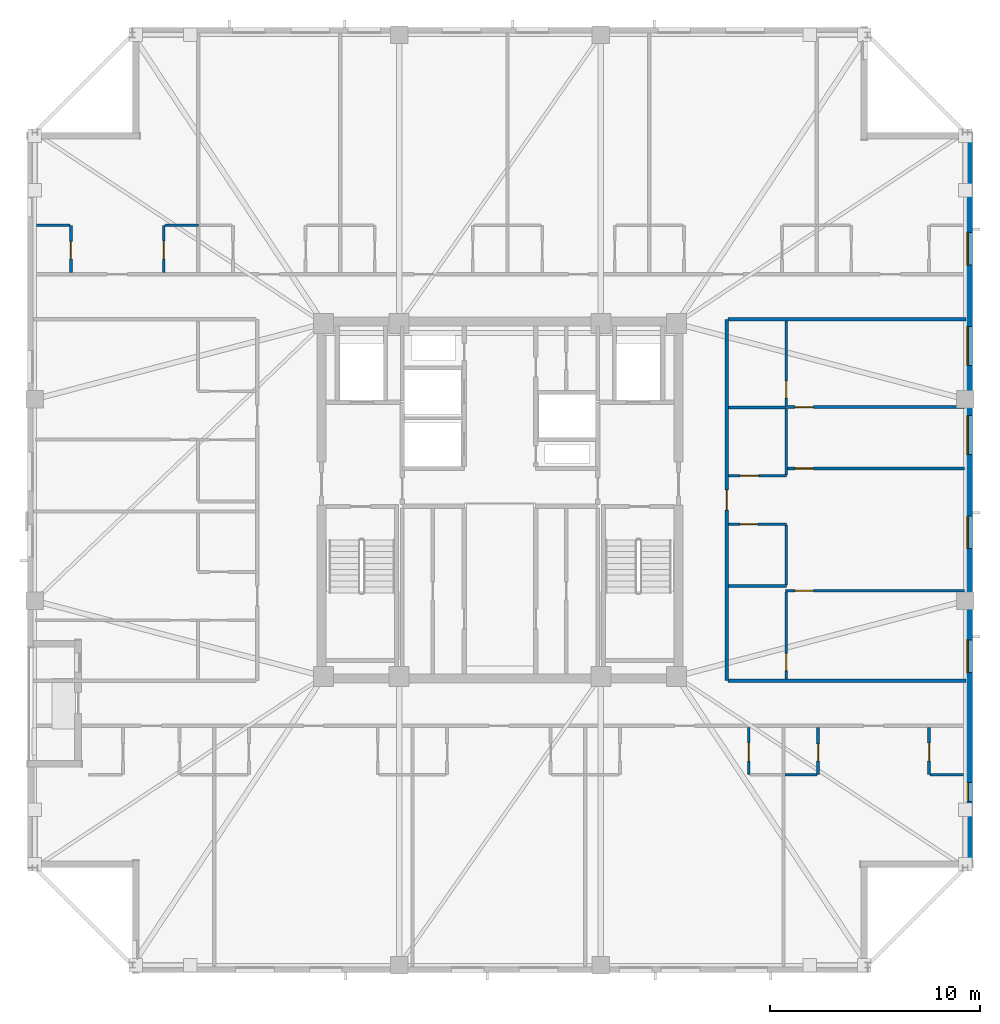
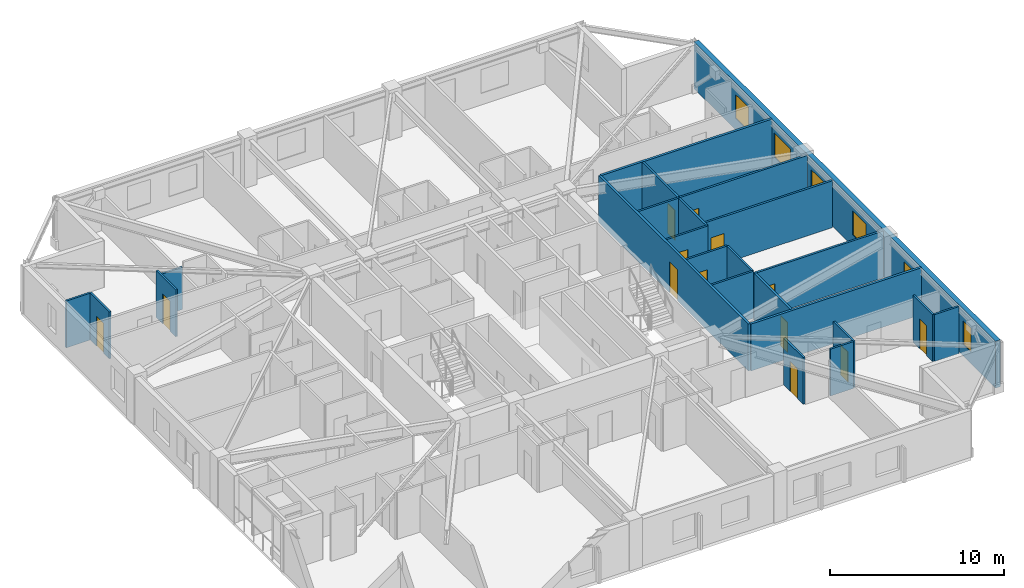
# One storey, part 10 of 17: 24 walls, 13 doors, 6 windows, 19 openings.
"""IFC4 building model written with IfcOpenShell, lengths in metres."""

from ifc_helpers import new_model, si_unit, direction, frame, frame_2d, origin, place, context, subcontext, project, spatial, rectangle, extrude, material, layer, layer_set, type_object, element, fill, save


model = new_model("IFC4")

# Units and contexts
model_context = context("Model", 3, precision=1e-05, world=origin(), true_north=direction((0.0, 1.0)))
body_context = subcontext(model_context, "Body", "Model", "MODEL_VIEW")
ifc_project = project(units=[si_unit("LENGTHUNIT", "METRE"), si_unit("AREAUNIT", "SQUARE_METRE"), si_unit("VOLUMEUNIT", "CUBIC_METRE"), si_unit("PLANEANGLEUNIT", "RADIAN"), si_unit("MASSUNIT", "GRAM", prefix="KILO")], contexts=[model_context])

# Site, building, storey
site_placement = place(None, origin())
site = spatial("IfcSite", under=ifc_project, at=site_placement, CompositionType="ELEMENT")
building_placement = place(site_placement, origin())
building = spatial("IfcBuilding", under=site, at=building_placement, Name="Cairnveth Concourse Tower", CompositionType="ELEMENT")
storey_placement = place(building_placement, frame((0.0, 0.0, 248.0)))
storey = spatial("IfcBuildingStorey", under=building, at=storey_placement, Name="L68", CompositionType="ELEMENT", Elevation=248.0)

# Wall, opening, door
ifc_material_1 = material(Name="Gypsum Plasterboard Partition", Category="gypsum")
ifc_layer_1 = layer(ifc_material_1, 0.159912109375)
ifc_layer_set_1 = layer_set([ifc_layer_1], Name="Gypsum Plasterboard Partition")
wall_type_1 = type_object("IfcWallType", Name="ACOUSTIC PARTY WALL 180", PredefinedType="PARTITIONING", material=ifc_layer_set_1)
wall_1_placement = place(storey_placement, frame((62.800048828125, 30.39990234375, 0.0), z_axis=(0.0, 0.0, 1.0), x_axis=(0.0, 1.0, 0.0)))
wall_1 = element("IfcWall", 1, at=wall_1_placement, inside=storey, type_object=wall_type_1, Name="Interior Wall IW-L68-039", PredefinedType="PARTITIONING", context=body_context, shape_type="SweptSolid", body=[
    extrude(rectangle(XDim=17.2001953125, YDim=0.159912109375, at=frame_2d((8.60009765625, 0.0))), origin(), (0.0, 0.0, 1.0), 3.2900390625),
])
opening_1_placement = place(wall_1_placement, frame((8.1201171875, 0.0, 0.0)))
opening_1 = element("IfcOpeningElement", 2, at=opening_1_placement, cuts=wall_1, Name="Opening ID10", PredefinedType="OPENING", context=body_context, shape_type="SweptSolid", body=[
    extrude(rectangle(XDim=0.9599609375, YDim=2.179931640625, at=frame_2d((0.47998046875, 1.08984375))), frame((0.0, 0.08984375, 0.0), z_axis=(0.0, -1.0, 0.0), x_axis=(1.0, 0.0, 0.0)), (0.0, 0.0, 1.0), 0.179931640625),
])
ifc_material_2 = material(Name="Solid Core Hardwood Timber Leaf", Category="wood")
door_type_1 = type_object("IfcDoorType", Name="FLAT ENTRANCE DOOR 960X2150", OperationType="NOTDEFINED", PredefinedType="DOOR", material=ifc_material_2)
door_1_placement = place(opening_1_placement, origin())
door_1 = element("IfcDoor", 3, at=door_1_placement, inside=storey, type_object=door_type_1, Name="Apartment L68E1 Entrance Door", OperationType="SINGLE_SWING_LEFT", OverallHeight=2.179931640625, OverallWidth=0.9599609375, PredefinedType="DOOR", context=body_context, shape_type="SweptSolid", body=[
    extrude(rectangle(XDim=0.9599609375, YDim=2.179931640625, at=frame_2d((0.47998046875, 1.08984375))), frame((0.0, 0.02490234375, 0.0), z_axis=(0.0, -1.0, 0.0), x_axis=(1.0, 0.0, 0.0)), (0.0, 0.0, 1.0), 0.050048828125),
])
fill(opening_1, door_1)

# Walls
for number, where, z_axis, x_axis, name in (
    (4, (62.864990234375, 30.39990234375, 0.0), (0.0, 0.0, 1.0), (1.0, 0.0, 0.0), "Interior Wall IW-L68-042"),
    (5, (62.864990234375, 47.60009765625, 0.0), (0.0, 0.0, 1.0), (1.0, 0.0, 0.0), "Interior Wall IW-L68-043"),
):
    element("IfcWall", number, at=place(storey_placement, frame(where, z_axis=z_axis, x_axis=x_axis)), inside=storey, type_object=wall_type_1, Name=name, PredefinedType="PARTITIONING", context=body_context, shape_type="SweptSolid", body=[
        extrude(rectangle(XDim=11.330078125, YDim=0.159912109375, at=frame_2d((5.6650390625, 0.0))), origin(), (0.0, 0.0, 1.0), 3.2900390625),
    ])

# Wall, opening, door
ifc_layer_2 = layer(ifc_material_1, 0.139892578125)
ifc_layer_set_2 = layer_set([ifc_layer_2], Name="Gypsum Plasterboard Partition")
wall_type_2 = type_object("IfcWallType", Name="GYPSUM STUD PARTITION 140", PredefinedType="PARTITIONING", material=ifc_layer_set_2)
wall_2_placement = place(storey_placement, frame((65.590087890625, 34.679931640625, 0.0), z_axis=(0.0, 0.0, 1.0), x_axis=(1.0, 0.0, 0.0)))
wall_2 = element("IfcWall", 6, at=wall_2_placement, inside=storey, type_object=wall_type_2, Name="Interior Wall IW-L68-115", PredefinedType="PARTITIONING", context=body_context, shape_type="SweptSolid", body=[
    extrude(rectangle(XDim=8.530029296875, YDim=0.139892578125, at=frame_2d((4.26513671875, 0.0))), origin(), (0.0, 0.0, 1.0), 3.2900390625),
])
opening_2_placement = place(wall_2_placement, frame((0.449951171875, 0.0, 0.0)))
opening_2 = element("IfcOpeningElement", 7, at=opening_2_placement, cuts=wall_2, Name="Opening ID18", PredefinedType="OPENING", context=body_context, shape_type="SweptSolid", body=[
    extrude(rectangle(XDim=0.8798828125, YDim=2.10009765625, at=frame_2d((0.43994140625, 1.050048828125))), frame((0.0, 0.079833984375, 0.0), z_axis=(0.0, -1.0, 0.0), x_axis=(1.0, 0.0, 0.0)), (0.0, 0.0, 1.0), 0.159912109375),
])
door_type_2 = type_object("IfcDoorType", Name="INTERIOR SINGLE DOOR 880X2100", OperationType="NOTDEFINED", PredefinedType="DOOR", material=ifc_material_2)
door_2_placement = place(opening_2_placement, origin())
door_2 = element("IfcDoor", 8, at=door_2_placement, inside=storey, type_object=door_type_2, Name="L68E1 Master Bedroom Door", OperationType="SINGLE_SWING_LEFT", OverallHeight=2.10009765625, OverallWidth=0.8798828125, PredefinedType="DOOR", context=body_context, shape_type="SweptSolid", body=[
    extrude(rectangle(XDim=0.8798828125, YDim=2.10009765625, at=frame_2d((0.43994140625, 1.050048828125))), frame((0.0, 0.02490234375, 0.0), z_axis=(0.0, -1.0, 0.0), x_axis=(1.0, 0.0, 0.0)), (0.0, 0.0, 1.0), 0.050048828125),
])
fill(opening_2, door_2)

wall_3_placement = place(storey_placement, frame((65.6298828125, 30.465087890625, 0.0), z_axis=(0.0, 0.0, 1.0), x_axis=(0.0, 1.0, 0.0)))
wall_3 = element("IfcWall", 9, at=wall_3_placement, inside=storey, type_object=wall_type_2, Name="Interior Wall IW-L68-116", PredefinedType="PARTITIONING", context=body_context, shape_type="SweptSolid", body=[
    extrude(rectangle(XDim=4.159912109375, YDim=0.139892578125, at=frame_2d((2.080078125, 0.0))), origin(), (0.0, 0.0, 1.0), 3.2900390625),
])
opening_3_placement = place(wall_3_placement, frame((0.4150390625, 0.0, 0.0)))
opening_3 = element("IfcOpeningElement", 10, at=opening_3_placement, cuts=wall_3, Name="Opening ID22", PredefinedType="OPENING", context=body_context, shape_type="SweptSolid", body=[
    extrude(rectangle(XDim=0.820068359375, YDim=2.10009765625, at=frame_2d((0.41015625, 1.050048828125))), frame((0.0, 0.079833984375, 0.0), z_axis=(0.0, -1.0, 0.0), x_axis=(1.0, 0.0, 0.0)), (0.0, 0.0, 1.0), 0.159912109375),
])
door_type_3 = type_object("IfcDoorType", Name="INTERIOR WC DOOR 820X2100", OperationType="NOTDEFINED", PredefinedType="DOOR", material=ifc_material_2)
door_3_placement = place(opening_3_placement, origin())
door_3 = element("IfcDoor", 11, at=door_3_placement, inside=storey, type_object=door_type_3, Name="L68E1 Dressing Door", OperationType="SINGLE_SWING_RIGHT", OverallHeight=2.10009765625, OverallWidth=0.820068359375, PredefinedType="DOOR", context=body_context, shape_type="SweptSolid", body=[
    extrude(rectangle(XDim=0.820068359375, YDim=2.10009765625, at=frame_2d((0.41015625, 1.050048828125))), frame((0.0, 0.02490234375, 0.0), z_axis=(0.0, -1.0, 0.0), x_axis=(1.0, 0.0, 0.0)), (0.0, 0.0, 1.0), 0.050048828125),
])
fill(opening_3, door_3)

wall_4_placement = place(storey_placement, frame((65.679931640625, 43.419921875, 0.0), z_axis=(0.0, 0.0, 1.0), x_axis=(1.0, 0.0, 0.0)))
wall_4 = element("IfcWall", 12, at=wall_4_placement, inside=storey, type_object=wall_type_2, Name="Interior Wall IW-L68-117", PredefinedType="PARTITIONING", context=body_context, shape_type="SweptSolid", body=[
    extrude(rectangle(XDim=8.440185546875, YDim=0.139892578125, at=frame_2d((4.22021484375, 0.0))), origin(), (0.0, 0.0, 1.0), 3.2900390625),
])
opening_4_placement = place(wall_4_placement, frame((0.360107421875, 0.0, 0.0)))
opening_4 = element("IfcOpeningElement", 13, at=opening_4_placement, cuts=wall_4, Name="Opening ID18", PredefinedType="OPENING", context=body_context, shape_type="SweptSolid", body=[
    extrude(rectangle(XDim=0.8798828125, YDim=2.10009765625, at=frame_2d((0.43994140625, 1.050048828125))), frame((0.0, 0.079833984375, 0.0), z_axis=(0.0, -1.0, 0.0), x_axis=(1.0, 0.0, 0.0)), (0.0, 0.0, 1.0), 0.159912109375),
])
door_4_placement = place(opening_4_placement, origin())
door_4 = element("IfcDoor", 14, at=door_4_placement, inside=storey, type_object=door_type_2, Name="L68E1 Bedroom 2 Door", OperationType="SINGLE_SWING_LEFT", OverallHeight=2.10009765625, OverallWidth=0.8798828125, PredefinedType="DOOR", context=body_context, shape_type="SweptSolid", body=[
    extrude(rectangle(XDim=0.8798828125, YDim=2.10009765625, at=frame_2d((0.43994140625, 1.050048828125))), frame((0.0, 0.02490234375, 0.0), z_axis=(0.0, -1.0, 0.0), x_axis=(1.0, 0.0, 0.0)), (0.0, 0.0, 1.0), 0.050048828125),
])
fill(opening_4, door_4)

wall_5_placement = place(storey_placement, frame((65.6298828125, 43.47509765625, 0.0), z_axis=(0.0, 0.0, 1.0), x_axis=(0.0, 1.0, 0.0)))
wall_5 = element("IfcWall", 15, at=wall_5_placement, inside=storey, type_object=wall_type_2, Name="Interior Wall IW-L68-118", PredefinedType="PARTITIONING", context=body_context, shape_type="SweptSolid", body=[
    extrude(rectangle(XDim=4.059814453125, YDim=0.139892578125, at=frame_2d((2.02978515625, 0.0))), origin(), (0.0, 0.0, 1.0), 3.2900390625),
])
opening_5_placement = place(wall_5_placement, frame((0.375, 0.0, 0.0)))
opening_5 = element("IfcOpeningElement", 16, at=opening_5_placement, cuts=wall_5, Name="Opening ID22", PredefinedType="OPENING", context=body_context, shape_type="SweptSolid", body=[
    extrude(rectangle(XDim=0.820068359375, YDim=2.10009765625, at=frame_2d((0.41015625, 1.050048828125))), frame((0.0, 0.079833984375, 0.0), z_axis=(0.0, -1.0, 0.0), x_axis=(1.0, 0.0, 0.0)), (0.0, 0.0, 1.0), 0.159912109375),
])
door_5_placement = place(opening_5_placement, origin())
door_5 = element("IfcDoor", 17, at=door_5_placement, inside=storey, type_object=door_type_3, Name="L68E1 Utility Door", OperationType="SINGLE_SWING_RIGHT", OverallHeight=2.10009765625, OverallWidth=0.820068359375, PredefinedType="DOOR", context=body_context, shape_type="SweptSolid", body=[
    extrude(rectangle(XDim=0.820068359375, YDim=2.10009765625, at=frame_2d((0.41015625, 1.050048828125))), frame((0.0, 0.02490234375, 0.0), z_axis=(0.0, -1.0, 0.0), x_axis=(1.0, 0.0, 0.0)), (0.0, 0.0, 1.0), 0.050048828125),
])
fill(opening_5, door_5)

wall_6_placement = place(storey_placement, frame((65.679931640625, 40.5, 0.0), z_axis=(0.0, 0.0, 1.0), x_axis=(1.0, 0.0, 0.0)))
wall_6 = element("IfcWall", 18, at=wall_6_placement, inside=storey, type_object=wall_type_2, Name="Interior Wall IW-L68-119", PredefinedType="PARTITIONING", context=body_context, shape_type="SweptSolid", body=[
    extrude(rectangle(XDim=8.440185546875, YDim=0.139892578125, at=frame_2d((4.22021484375, 0.0))), origin(), (0.0, 0.0, 1.0), 3.2900390625),
])
opening_6_placement = place(wall_6_placement, frame((0.360107421875, 0.0, 0.0)))
opening_6 = element("IfcOpeningElement", 19, at=opening_6_placement, cuts=wall_6, Name="Opening ID18", PredefinedType="OPENING", context=body_context, shape_type="SweptSolid", body=[
    extrude(rectangle(XDim=0.8798828125, YDim=2.10009765625, at=frame_2d((0.43994140625, 1.050048828125))), frame((0.0, 0.079833984375, 0.0), z_axis=(0.0, -1.0, 0.0), x_axis=(1.0, 0.0, 0.0)), (0.0, 0.0, 1.0), 0.159912109375),
])
door_6_placement = place(opening_6_placement, origin())
door_6 = element("IfcDoor", 20, at=door_6_placement, inside=storey, type_object=door_type_2, Name="L68E1 Media Lounge Door", OperationType="SINGLE_SWING_RIGHT", OverallHeight=2.10009765625, OverallWidth=0.8798828125, PredefinedType="DOOR", context=body_context, shape_type="SweptSolid", body=[
    extrude(rectangle(XDim=0.8798828125, YDim=2.10009765625, at=frame_2d((0.43994140625, 1.050048828125))), frame((0.0, 0.02490234375, 0.0), z_axis=(0.0, -1.0, 0.0), x_axis=(1.0, 0.0, 0.0)), (0.0, 0.0, 1.0), 0.050048828125),
])
fill(opening_6, door_6)

ifc_layer_3 = layer(ifc_material_1, 0.1298828125)
ifc_layer_set_3 = layer_set([ifc_layer_3], Name="Gypsum Plasterboard Partition")
wall_type_3 = type_object("IfcWallType", Name="WET AREA PARTITION 140", PredefinedType="PLUMBINGWALL", material=ifc_layer_set_3)
wall_7_placement = place(storey_placement, frame((63.845458984375, 25.922607421875, 0.0), z_axis=(0.0, 0.0, 1.0), x_axis=(0.0, 1.0, 0.0)))
wall_7 = element("IfcWall", 21, at=wall_7_placement, inside=storey, type_object=wall_type_3, Name="Interior Wall IW-L68-061", PredefinedType="PLUMBINGWALL", context=body_context, shape_type="SweptSolid", body=[
    extrude(rectangle(XDim=2.25, YDim=0.1298828125, at=frame_2d((1.125, 0.0))), origin(), (0.0, 0.0, 1.0), 3.2900390625),
])
opening_7_placement = place(wall_7_placement, frame((0.64990234375, 0.0, 0.0)))
opening_7 = element("IfcOpeningElement", 22, at=opening_7_placement, cuts=wall_7, Name="Opening ID20", PredefinedType="OPENING", context=body_context, shape_type="SweptSolid", body=[
    extrude(rectangle(XDim=0.85009765625, YDim=2.10009765625, at=frame_2d((0.425048828125, 1.050048828125))), frame((0.0, 0.074951171875, 0.0), z_axis=(0.0, -1.0, 0.0), x_axis=(1.0, 0.0, 0.0)), (0.0, 0.0, 1.0), 0.14990234375),
])
door_type_4 = type_object("IfcDoorType", Name="INTERIOR SINGLE DOOR 850X2100", OperationType="NOTDEFINED", PredefinedType="DOOR", material=ifc_material_2)
door_7_placement = place(opening_7_placement, origin())
door_7 = element("IfcDoor", 23, at=door_7_placement, inside=storey, type_object=door_type_4, Name="L68STS4 Kitchen Door", OperationType="SINGLE_SWING_LEFT", OverallHeight=2.10009765625, OverallWidth=0.85009765625, PredefinedType="DOOR", context=body_context, shape_type="SweptSolid", body=[
    extrude(rectangle(XDim=0.85009765625, YDim=2.10009765625, at=frame_2d((0.425048828125, 1.050048828125))), frame((0.0, 0.02490234375, 0.0), z_axis=(0.0, -1.0, 0.0), x_axis=(1.0, 0.0, 0.0)), (0.0, 0.0, 1.0), 0.050048828125),
])
fill(opening_7, door_7)

wall_8_placement = place(storey_placement, frame((67.1455078125, 25.922607421875, 0.0), z_axis=(0.0, 0.0, 1.0), x_axis=(0.0, 1.0, 0.0)))
wall_8 = element("IfcWall", 24, at=wall_8_placement, inside=storey, type_object=wall_type_3, Name="Interior Wall IW-L68-064", PredefinedType="PLUMBINGWALL", context=body_context, shape_type="SweptSolid", body=[
    extrude(rectangle(XDim=2.25, YDim=0.1298828125, at=frame_2d((1.125, 0.0))), origin(), (0.0, 0.0, 1.0), 3.2900390625),
])
opening_8_placement = place(wall_8_placement, frame((0.64990234375, 0.0, 0.0)))
opening_8 = element("IfcOpeningElement", 25, at=opening_8_placement, cuts=wall_8, Name="Opening ID22", PredefinedType="OPENING", context=body_context, shape_type="SweptSolid", body=[
    extrude(rectangle(XDim=0.820068359375, YDim=2.10009765625, at=frame_2d((0.41015625, 1.050048828125))), frame((0.0, 0.074951171875, 0.0), z_axis=(0.0, -1.0, 0.0), x_axis=(1.0, 0.0, 0.0)), (0.0, 0.0, 1.0), 0.14990234375),
])
door_8_placement = place(opening_8_placement, origin())
door_8 = element("IfcDoor", 26, at=door_8_placement, inside=storey, type_object=door_type_3, Name="L68STS5 Bathroom Door", OperationType="SINGLE_SWING_LEFT", OverallHeight=2.10009765625, OverallWidth=0.820068359375, PredefinedType="DOOR", context=body_context, shape_type="SweptSolid", body=[
    extrude(rectangle(XDim=0.820068359375, YDim=2.10009765625, at=frame_2d((0.41015625, 1.050048828125))), frame((0.0, 0.02490234375, 0.0), z_axis=(0.0, -1.0, 0.0), x_axis=(1.0, 0.0, 0.0)), (0.0, 0.0, 1.0), 0.050048828125),
])
fill(opening_8, door_8)

# Wall
wall_9_placement = place(storey_placement, frame((65.560546875, 25.922607421875, 0.0), z_axis=(0.0, 0.0, 1.0), x_axis=(1.0, 0.0, 0.0)))
element("IfcWall", 27, at=wall_9_placement, inside=storey, type_object=wall_type_3, Name="Interior Wall IW-L68-065", PredefinedType="PLUMBINGWALL", context=body_context, shape_type="SweptSolid", body=[
    extrude(rectangle(XDim=1.534912109375, YDim=0.1298828125, at=frame_2d((0.767578125, 0.0))), origin(), (0.0, 0.0, 1.0), 3.2900390625),
])

# Wall, opening, door
wall_10_placement = place(storey_placement, frame((72.429931640625, 25.922607421875, 0.0), z_axis=(0.0, 0.0, 1.0), x_axis=(0.0, 1.0, 0.0)))
wall_10 = element("IfcWall", 28, at=wall_10_placement, inside=storey, type_object=wall_type_3, Name="Interior Wall IW-L68-066", PredefinedType="PLUMBINGWALL", context=body_context, shape_type="SweptSolid", body=[
    extrude(rectangle(XDim=2.25, YDim=0.1298828125, at=frame_2d((1.125, 0.0))), origin(), (0.0, 0.0, 1.0), 3.2900390625),
])
opening_9_placement = place(wall_10_placement, frame((0.64990234375, 0.0, 0.0)))
opening_9 = element("IfcOpeningElement", 29, at=opening_9_placement, cuts=wall_10, Name="Opening ID20", PredefinedType="OPENING", context=body_context, shape_type="SweptSolid", body=[
    extrude(rectangle(XDim=0.85009765625, YDim=2.10009765625, at=frame_2d((0.425048828125, 1.050048828125))), frame((0.0, 0.074951171875, 0.0), z_axis=(0.0, -1.0, 0.0), x_axis=(1.0, 0.0, 0.0)), (0.0, 0.0, 1.0), 0.14990234375),
])
door_9_placement = place(opening_9_placement, origin())
door_9 = element("IfcDoor", 30, at=door_9_placement, inside=storey, type_object=door_type_4, Name="L68STS5 Kitchen Door", OperationType="SINGLE_SWING_RIGHT", OverallHeight=2.10009765625, OverallWidth=0.85009765625, PredefinedType="DOOR", context=body_context, shape_type="SweptSolid", body=[
    extrude(rectangle(XDim=0.85009765625, YDim=2.10009765625, at=frame_2d((0.425048828125, 1.050048828125))), frame((0.0, 0.02490234375, 0.0), z_axis=(0.0, -1.0, 0.0), x_axis=(1.0, 0.0, 0.0)), (0.0, 0.0, 1.0), 0.050048828125),
])
fill(opening_9, door_9)

# Wall
wall_11_placement = place(storey_placement, frame((72.47998046875, 25.922607421875, 0.0), z_axis=(0.0, 0.0, 1.0), x_axis=(1.0, 0.0, 0.0)))
element("IfcWall", 31, at=wall_11_placement, inside=storey, type_object=wall_type_3, Name="Interior Wall IW-L68-067", PredefinedType="PLUMBINGWALL", context=body_context, shape_type="SweptSolid", body=[
    extrude(rectangle(XDim=1.60009765625, YDim=0.1298828125, at=frame_2d((0.800048828125, 0.0))), origin(), (0.0, 0.0, 1.0), 3.2900390625),
])

# Wall, opening, door
wall_12_placement = place(storey_placement, frame((31.570068359375, 49.827392578125, 0.0), z_axis=(0.0, 0.0, 1.0), x_axis=(0.0, 1.0, 0.0)))
wall_12 = element("IfcWall", 32, at=wall_12_placement, inside=storey, type_object=wall_type_3, Name="Interior Wall IW-L68-068", PredefinedType="PLUMBINGWALL", context=body_context, shape_type="SweptSolid", body=[
    extrude(rectangle(XDim=2.25, YDim=0.1298828125, at=frame_2d((1.125, 0.0))), origin(), (0.0, 0.0, 1.0), 3.2900390625),
])
opening_10_placement = place(wall_12_placement, frame((0.64990234375, 0.0, 0.0)))
opening_10 = element("IfcOpeningElement", 33, at=opening_10_placement, cuts=wall_12, Name="Opening ID22", PredefinedType="OPENING", context=body_context, shape_type="SweptSolid", body=[
    extrude(rectangle(XDim=0.820068359375, YDim=2.10009765625, at=frame_2d((0.41015625, 1.050048828125))), frame((0.0, 0.074951171875, 0.0), z_axis=(0.0, -1.0, 0.0), x_axis=(1.0, 0.0, 0.0)), (0.0, 0.0, 1.0), 0.14990234375),
])
door_10_placement = place(opening_10_placement, origin())
door_10 = element("IfcDoor", 34, at=door_10_placement, inside=storey, type_object=door_type_3, Name="L68STN1 Bathroom Door", OperationType="SINGLE_SWING_RIGHT", OverallHeight=2.10009765625, OverallWidth=0.820068359375, PredefinedType="DOOR", context=body_context, shape_type="SweptSolid", body=[
    extrude(rectangle(XDim=0.820068359375, YDim=2.10009765625, at=frame_2d((0.41015625, 1.050048828125))), frame((0.0, 0.02490234375, 0.0), z_axis=(0.0, -1.0, 0.0), x_axis=(1.0, 0.0, 0.0)), (0.0, 0.0, 1.0), 0.050048828125),
])
fill(opening_10, door_10)

# Wall
wall_13_placement = place(storey_placement, frame((29.919921875, 52.077392578125, 0.0), z_axis=(0.0, 0.0, 1.0), x_axis=(1.0, 0.0, 0.0)))
element("IfcWall", 35, at=wall_13_placement, inside=storey, type_object=wall_type_3, Name="Interior Wall IW-L68-069", PredefinedType="PLUMBINGWALL", context=body_context, shape_type="SweptSolid", body=[
    extrude(rectangle(XDim=1.60009765625, YDim=0.1298828125, at=frame_2d((0.800048828125, 0.0))), origin(), (0.0, 0.0, 1.0), 3.2900390625),
])

# Wall, opening, door
wall_14_placement = place(storey_placement, frame((35.987548828125, 49.827392578125, 0.0), z_axis=(0.0, 0.0, 1.0), x_axis=(0.0, 1.0, 0.0)))
wall_14 = element("IfcWall", 36, at=wall_14_placement, inside=storey, type_object=wall_type_3, Name="Interior Wall IW-L68-070", PredefinedType="PLUMBINGWALL", context=body_context, shape_type="SweptSolid", body=[
    extrude(rectangle(XDim=2.25, YDim=0.1298828125, at=frame_2d((1.125, 0.0))), origin(), (0.0, 0.0, 1.0), 3.2900390625),
])
opening_11_placement = place(wall_14_placement, frame((0.64990234375, 0.0, 0.0)))
opening_11 = element("IfcOpeningElement", 37, at=opening_11_placement, cuts=wall_14, Name="Opening ID20", PredefinedType="OPENING", context=body_context, shape_type="SweptSolid", body=[
    extrude(rectangle(XDim=0.85009765625, YDim=2.10009765625, at=frame_2d((0.425048828125, 1.050048828125))), frame((0.0, 0.074951171875, 0.0), z_axis=(0.0, -1.0, 0.0), x_axis=(1.0, 0.0, 0.0)), (0.0, 0.0, 1.0), 0.14990234375),
])
door_11_placement = place(opening_11_placement, origin())
door_11 = element("IfcDoor", 38, at=door_11_placement, inside=storey, type_object=door_type_4, Name="L68STN1 Kitchen Door", OperationType="SINGLE_SWING_LEFT", OverallHeight=2.10009765625, OverallWidth=0.85009765625, PredefinedType="DOOR", context=body_context, shape_type="SweptSolid", body=[
    extrude(rectangle(XDim=0.85009765625, YDim=2.10009765625, at=frame_2d((0.425048828125, 1.050048828125))), frame((0.0, 0.02490234375, 0.0), z_axis=(0.0, -1.0, 0.0), x_axis=(1.0, 0.0, 0.0)), (0.0, 0.0, 1.0), 0.050048828125),
])
fill(opening_11, door_11)

# Walls
wall_15_placement = place(storey_placement, frame((36.03759765625, 52.077392578125, 0.0), z_axis=(0.0, 0.0, 1.0), x_axis=(1.0, 0.0, 0.0)))
element("IfcWall", 39, at=wall_15_placement, inside=storey, type_object=wall_type_3, Name="Interior Wall IW-L68-071", PredefinedType="PLUMBINGWALL", context=body_context, shape_type="SweptSolid", body=[
    extrude(rectangle(XDim=1.599853515625, YDim=0.1298828125, at=frame_2d((0.7998046875, 0.0))), origin(), (0.0, 0.0, 1.0), 2.9580078125),
])
wall_16_placement = place(storey_placement, frame((62.8798828125, 34.89990234375, 0.0), z_axis=(0.0, 0.0, 1.0), x_axis=(1.0, 0.0, 0.0)))
element("IfcWall", 40, at=wall_16_placement, inside=storey, type_object=wall_type_3, Name="Interior Wall IW-L68-109", PredefinedType="PLUMBINGWALL", context=body_context, shape_type="SweptSolid", body=[
    extrude(rectangle(XDim=2.75, YDim=0.1298828125, at=frame_2d((1.375, 0.0))), origin(), (0.0, 0.0, 1.0), 3.2900390625),
])

# Wall, opening, door
wall_17_placement = place(storey_placement, frame((62.8798828125, 37.85009765625, 0.0), z_axis=(0.0, 0.0, 1.0), x_axis=(1.0, 0.0, 0.0)))
wall_17 = element("IfcWall", 41, at=wall_17_placement, inside=storey, type_object=wall_type_3, Name="Interior Wall IW-L68-110", PredefinedType="PLUMBINGWALL", context=body_context, shape_type="SweptSolid", body=[
    extrude(rectangle(XDim=2.75, YDim=0.1298828125, at=frame_2d((1.375, 0.0))), origin(), (0.0, 0.0, 1.0), 3.2900390625),
])
opening_12_placement = place(wall_17_placement, frame((0.550048828125, 0.0, 0.0)))
opening_12 = element("IfcOpeningElement", 42, at=opening_12_placement, cuts=wall_17, Name="Opening ID21", PredefinedType="OPENING", context=body_context, shape_type="SweptSolid", body=[
    extrude(rectangle(XDim=0.85009765625, YDim=2.080078125, at=frame_2d((0.425048828125, 1.0400390625))), frame((0.0, 0.074951171875, 0.0), z_axis=(0.0, -1.0, 0.0), x_axis=(1.0, 0.0, 0.0)), (0.0, 0.0, 1.0), 0.14990234375),
])
door_type_5 = type_object("IfcDoorType", Name="INTERIOR WC DOOR 850X2100", OperationType="NOTDEFINED", PredefinedType="DOOR", material=ifc_material_2)
door_12_placement = place(opening_12_placement, origin())
door_12 = element("IfcDoor", 43, at=door_12_placement, inside=storey, type_object=door_type_5, Name="L68E1 Bathroom Door", OperationType="SINGLE_SWING_RIGHT", OverallHeight=2.080078125, OverallWidth=0.85009765625, PredefinedType="DOOR", context=body_context, shape_type="SweptSolid", body=[
    extrude(rectangle(XDim=0.85009765625, YDim=2.080078125, at=frame_2d((0.425048828125, 1.0400390625))), frame((0.0, 0.02490234375, 0.0), z_axis=(0.0, -1.0, 0.0), x_axis=(1.0, 0.0, 0.0)), (0.0, 0.0, 1.0), 0.050048828125),
])
fill(opening_12, door_12)

# Walls
wall_18_placement = place(storey_placement, frame((65.6298828125, 34.949951171875, 0.0), z_axis=(0.0, 0.0, 1.0), x_axis=(0.0, 1.0, 0.0)))
element("IfcWall", 44, at=wall_18_placement, inside=storey, type_object=wall_type_3, Name="Interior Wall IW-L68-111", PredefinedType="PLUMBINGWALL", context=body_context, shape_type="SweptSolid", body=[
    extrude(rectangle(XDim=2.85009765625, YDim=0.1298828125, at=frame_2d((1.425048828125, 0.0))), origin(), (0.0, 0.0, 1.0), 3.2900390625),
])
wall_19_placement = place(storey_placement, frame((62.8798828125, 43.39990234375, 0.0), z_axis=(0.0, 0.0, 1.0), x_axis=(1.0, 0.0, 0.0)))
element("IfcWall", 45, at=wall_19_placement, inside=storey, type_object=wall_type_3, Name="Interior Wall IW-L68-112", PredefinedType="PLUMBINGWALL", context=body_context, shape_type="SweptSolid", body=[
    extrude(rectangle(XDim=2.75, YDim=0.1298828125, at=frame_2d((1.375, 0.0))), origin(), (0.0, 0.0, 1.0), 3.2900390625),
])

# Wall, opening, door
wall_20_placement = place(storey_placement, frame((62.8798828125, 40.14990234375, 0.0), z_axis=(0.0, 0.0, 1.0), x_axis=(1.0, 0.0, 0.0)))
wall_20 = element("IfcWall", 46, at=wall_20_placement, inside=storey, type_object=wall_type_3, Name="Interior Wall IW-L68-113", PredefinedType="PLUMBINGWALL", context=body_context, shape_type="SweptSolid", body=[
    extrude(rectangle(XDim=2.75, YDim=0.1298828125, at=frame_2d((1.375, 0.0))), origin(), (0.0, 0.0, 1.0), 3.2900390625),
])
opening_13_placement = place(wall_20_placement, frame((0.550048828125, 0.0, 0.0)))
opening_13 = element("IfcOpeningElement", 47, at=opening_13_placement, cuts=wall_20, Name="Opening ID18", PredefinedType="OPENING", context=body_context, shape_type="SweptSolid", body=[
    extrude(rectangle(XDim=0.8798828125, YDim=2.10009765625, at=frame_2d((0.43994140625, 1.050048828125))), frame((0.0, 0.074951171875, 0.0), z_axis=(0.0, -1.0, 0.0), x_axis=(1.0, 0.0, 0.0)), (0.0, 0.0, 1.0), 0.14990234375),
])
door_13_placement = place(opening_13_placement, origin())
door_13 = element("IfcDoor", 48, at=door_13_placement, inside=storey, type_object=door_type_2, Name="L68E1 Kitchen Door", OperationType="SINGLE_SWING_LEFT", OverallHeight=2.10009765625, OverallWidth=0.8798828125, PredefinedType="DOOR", context=body_context, shape_type="SweptSolid", body=[
    extrude(rectangle(XDim=0.8798828125, YDim=2.10009765625, at=frame_2d((0.43994140625, 1.050048828125))), frame((0.0, 0.02490234375, 0.0), z_axis=(0.0, -1.0, 0.0), x_axis=(1.0, 0.0, 0.0)), (0.0, 0.0, 1.0), 0.050048828125),
])
fill(opening_13, door_13)

# Wall
wall_21_placement = place(storey_placement, frame((65.6298828125, 40.199951171875, 0.0), z_axis=(0.0, 0.0, 1.0), x_axis=(0.0, 1.0, 0.0)))
element("IfcWall", 49, at=wall_21_placement, inside=storey, type_object=wall_type_3, Name="Interior Wall IW-L68-114", PredefinedType="PLUMBINGWALL", context=body_context, shape_type="SweptSolid", body=[
    extrude(rectangle(XDim=3.150146484375, YDim=0.1298828125, at=frame_2d((1.5751953125, 0.0))), origin(), (0.0, 0.0, 1.0), 3.2900390625),
])

# Wall, openings, windows
ifc_material_3 = material(Name="Melbourne Buff Fired Clay Brick Masonry", Category="masonry")
ifc_layer_4 = layer(ifc_material_3, 0.320068359375)
ifc_layer_set_4 = layer_set([ifc_layer_4], Name="Melbourne Buff Fired Clay Brick Masonry")
wall_type_4 = type_object("IfcWallType", Name="ZONE 3 BRICK PIER SPANDREL WALL 320", PredefinedType="SOLIDWALL", material=ifc_layer_set_4)
wall_22_placement = place(storey_placement, frame((74.340087890625, 56.5, 0.0), z_axis=(0.0, 0.0, 1.0), x_axis=(0.0, -1.0, 0.0)))
wall_22 = element("IfcWall", 50, at=wall_22_placement, inside=storey, type_object=wall_type_4, Name="Exterior Wall EW-L68-S06", PredefinedType="SOLIDWALL", context=body_context, shape_type="SweptSolid", body=[
    extrude(rectangle(XDim=34.701904296875, YDim=0.320068359375, at=frame_2d((17.35107421875, 0.0))), origin(), (0.0, 0.0, 1.0), 3.2900390625),
])
opening_14_placement = place(wall_22_placement, frame((4.7626953125, 0.0, 0.800048828125)))
opening_14 = element("IfcOpeningElement", 51, at=opening_14_placement, cuts=wall_22, Name="Opening W07", PredefinedType="OPENING", context=body_context, shape_type="SweptSolid", body=[
    extrude(rectangle(XDim=1.550048828125, YDim=1.677978515625, at=frame_2d((0.77490234375, 0.8388671875))), frame((0.0, 0.169921875, 0.0), z_axis=(0.0, -1.0, 0.0), x_axis=(1.0, 0.0, 0.0)), (0.0, 0.0, 1.0), 0.340087890625),
])
opening_15_placement = place(wall_22_placement, frame((9.23779296875, 0.0, 0.800048828125)))
opening_15 = element("IfcOpeningElement", 52, at=opening_15_placement, cuts=wall_22, Name="Opening W08", PredefinedType="OPENING", context=body_context, shape_type="SweptSolid", body=[
    extrude(rectangle(XDim=1.85009765625, YDim=1.677978515625, at=frame_2d((0.925048828125, 0.8388671875))), frame((0.0, 0.169921875, 0.0), z_axis=(0.0, -1.0, 0.0), x_axis=(1.0, 0.0, 0.0)), (0.0, 0.0, 1.0), 0.340087890625),
])
opening_16_placement = place(wall_22_placement, frame((13.48828125, 0.0, 0.800048828125)))
opening_16 = element("IfcOpeningElement", 53, at=opening_16_placement, cuts=wall_22, Name="Opening W08", PredefinedType="OPENING", context=body_context, shape_type="SweptSolid", body=[
    extrude(rectangle(XDim=1.85009765625, YDim=1.677978515625, at=frame_2d((0.925048828125, 0.8388671875))), frame((0.0, 0.169921875, 0.0), z_axis=(0.0, -1.0, 0.0), x_axis=(1.0, 0.0, 0.0)), (0.0, 0.0, 1.0), 0.340087890625),
])
opening_17_placement = place(wall_22_placement, frame((18.263671875, 0.0, 0.800048828125)))
opening_17 = element("IfcOpeningElement", 54, at=opening_17_placement, cuts=wall_22, Name="Opening W07", PredefinedType="OPENING", context=body_context, shape_type="SweptSolid", body=[
    extrude(rectangle(XDim=1.550048828125, YDim=1.677978515625, at=frame_2d((0.77490234375, 0.8388671875))), frame((0.0, 0.169921875, 0.0), z_axis=(0.0, -1.0, 0.0), x_axis=(1.0, 0.0, 0.0)), (0.0, 0.0, 1.0), 0.340087890625),
])
opening_18_placement = place(wall_22_placement, frame((24.1640625, 0.0, 0.800048828125)))
opening_18 = element("IfcOpeningElement", 55, at=opening_18_placement, cuts=wall_22, Name="Opening W07", PredefinedType="OPENING", context=body_context, shape_type="SweptSolid", body=[
    extrude(rectangle(XDim=1.550048828125, YDim=1.677978515625, at=frame_2d((0.77490234375, 0.8388671875))), frame((0.0, 0.169921875, 0.0), z_axis=(0.0, -1.0, 0.0), x_axis=(1.0, 0.0, 0.0)), (0.0, 0.0, 1.0), 0.340087890625),
])
opening_19_placement = place(wall_22_placement, frame((30.949951171875, 0.0, 0.800048828125)))
opening_19 = element("IfcOpeningElement", 56, at=opening_19_placement, cuts=wall_22, Name="Opening W13", PredefinedType="OPENING", context=body_context, shape_type="SweptSolid", body=[
    extrude(rectangle(XDim=0.89990234375, YDim=1.677978515625, at=frame_2d((0.449951171875, 0.8388671875))), frame((0.0, 0.169921875, 0.0), z_axis=(0.0, -1.0, 0.0), x_axis=(1.0, 0.0, 0.0)), (0.0, 0.0, 1.0), 0.340087890625),
])
ifc_material_4 = material(Name="Double Glazed Low-E Clear Glass", Category="glass")
window_type_1 = type_object("IfcWindowType", Name="DEEP-SET APARTMENT LIVING WINDOW 1850X1850", PartitioningType="DOUBLE_PANEL_VERTICAL", PredefinedType="WINDOW", material=ifc_material_4)
window_1_placement = place(opening_15_placement, origin())
window_1 = element("IfcWindow", 57, at=window_1_placement, inside=storey, type_object=window_type_1, Name="Gothic Lancet Window L68-6-2", OverallHeight=1.677978515625, OverallWidth=1.85009765625, PartitioningType="SINGLE_PANEL", PredefinedType="WINDOW", context=body_context, shape_type="SweptSolid", body=[
    extrude(rectangle(XDim=1.85009765625, YDim=1.677978515625, at=frame_2d((0.925048828125, 0.8388671875))), frame((0.0, -0.050048828125, 0.0), z_axis=(0.0, -1.0, 0.0), x_axis=(1.0, 0.0, 0.0)), (0.0, 0.0, 1.0), 0.06005859375),
])
fill(opening_15, window_1)
window_2_placement = place(opening_16_placement, origin())
window_2 = element("IfcWindow", 58, at=window_2_placement, inside=storey, type_object=window_type_1, Name="Gothic Lancet Window L68-6-4", OverallHeight=1.677978515625, OverallWidth=1.85009765625, PartitioningType="SINGLE_PANEL", PredefinedType="WINDOW", context=body_context, shape_type="SweptSolid", body=[
    extrude(rectangle(XDim=1.85009765625, YDim=1.677978515625, at=frame_2d((0.925048828125, 0.8388671875))), frame((0.0, -0.050048828125, 0.0), z_axis=(0.0, -1.0, 0.0), x_axis=(1.0, 0.0, 0.0)), (0.0, 0.0, 1.0), 0.06005859375),
])
fill(opening_16, window_2)
window_type_2 = type_object("IfcWindowType", Name="DEEP-SET APARTMENT WINDOW 1550X1800", PartitioningType="DOUBLE_PANEL_VERTICAL", PredefinedType="WINDOW", material=ifc_material_4)
window_3_placement = place(opening_14_placement, origin())
window_3 = element("IfcWindow", 59, at=window_3_placement, inside=storey, type_object=window_type_2, Name="Gothic Lancet Window L68-6-1", OverallHeight=1.677978515625, OverallWidth=1.550048828125, PartitioningType="SINGLE_PANEL", PredefinedType="WINDOW", context=body_context, shape_type="SweptSolid", body=[
    extrude(rectangle(XDim=1.550048828125, YDim=1.677978515625, at=frame_2d((0.77490234375, 0.8388671875))), frame((0.0, -0.050048828125, 0.0), z_axis=(0.0, -1.0, 0.0), x_axis=(1.0, 0.0, 0.0)), (0.0, 0.0, 1.0), 0.06005859375),
])
fill(opening_14, window_3)
window_4_placement = place(opening_17_placement, origin())
window_4 = element("IfcWindow", 60, at=window_4_placement, inside=storey, type_object=window_type_2, Name="Gothic Lancet Window L68-6-5", OverallHeight=1.677978515625, OverallWidth=1.550048828125, PartitioningType="SINGLE_PANEL", PredefinedType="WINDOW", context=body_context, shape_type="SweptSolid", body=[
    extrude(rectangle(XDim=1.550048828125, YDim=1.677978515625, at=frame_2d((0.77490234375, 0.8388671875))), frame((0.0, -0.050048828125, 0.0), z_axis=(0.0, -1.0, 0.0), x_axis=(1.0, 0.0, 0.0)), (0.0, 0.0, 1.0), 0.06005859375),
])
fill(opening_17, window_4)
window_5_placement = place(opening_18_placement, origin())
window_5 = element("IfcWindow", 61, at=window_5_placement, inside=storey, type_object=window_type_2, Name="Gothic Lancet Window L68-6-7", OverallHeight=1.677978515625, OverallWidth=1.550048828125, PartitioningType="SINGLE_PANEL", PredefinedType="WINDOW", context=body_context, shape_type="SweptSolid", body=[
    extrude(rectangle(XDim=1.550048828125, YDim=1.677978515625, at=frame_2d((0.77490234375, 0.8388671875))), frame((0.0, -0.050048828125, 0.0), z_axis=(0.0, -1.0, 0.0), x_axis=(1.0, 0.0, 0.0)), (0.0, 0.0, 1.0), 0.06005859375),
])
fill(opening_18, window_5)
window_type_3 = type_object("IfcWindowType", Name="DEEP-SET BEDROOM LANCET WINDOW 900X1750", PartitioningType="DOUBLE_PANEL_VERTICAL", PredefinedType="WINDOW", material=ifc_material_4)
window_6_placement = place(opening_19_placement, origin())
window_6 = element("IfcWindow", 62, at=window_6_placement, inside=storey, type_object=window_type_3, Name="Dwelling Lancet Window L68-DW2", OverallHeight=1.677978515625, OverallWidth=0.89990234375, PartitioningType="SINGLE_PANEL", PredefinedType="WINDOW", context=body_context, shape_type="SweptSolid", body=[
    extrude(rectangle(XDim=0.89990234375, YDim=1.677978515625, at=frame_2d((0.449951171875, 0.8388671875))), frame((0.0, -0.0400390625, 0.0), z_axis=(0.0, -1.0, 0.0), x_axis=(1.0, 0.0, 0.0)), (0.0, 0.0, 1.0), 0.06005859375),
])
fill(opening_19, window_6)

save(model, "model.ifc")
